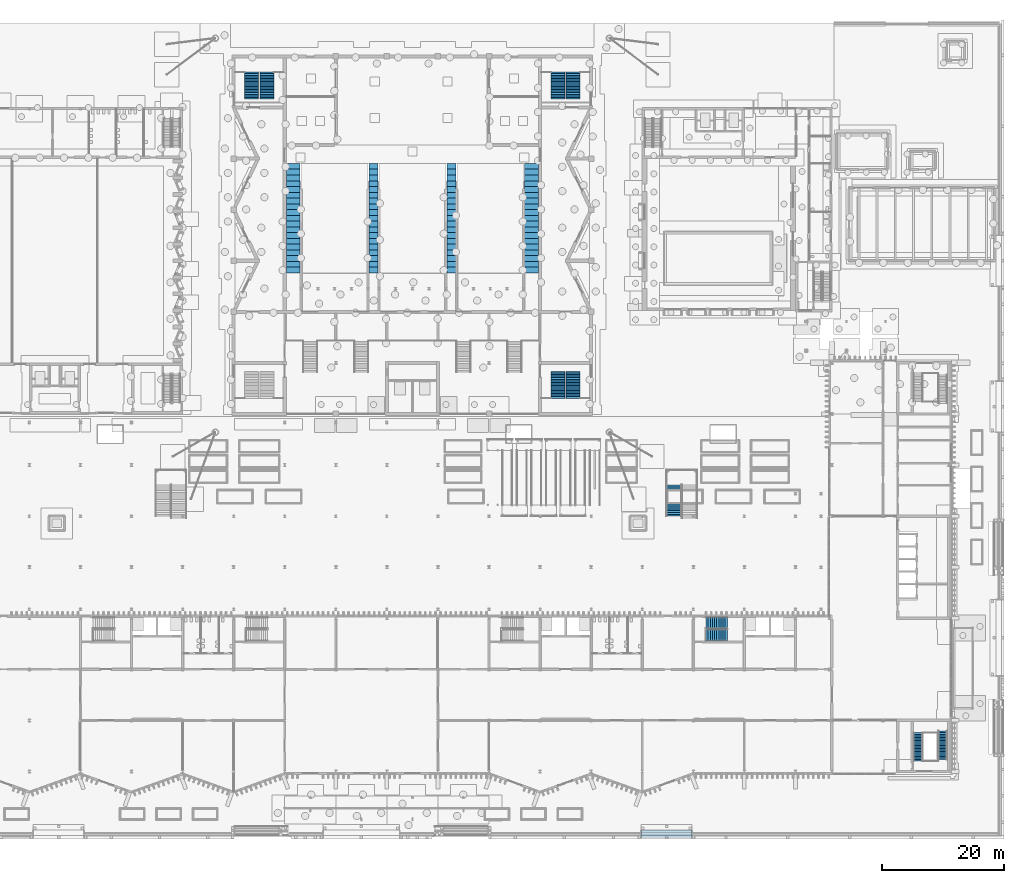
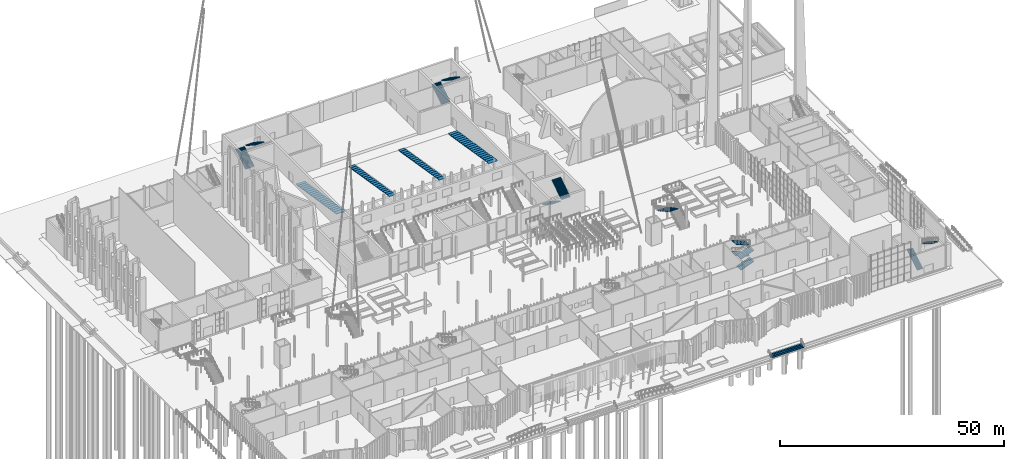
# One storey, part 79 of 108: 18 stair flights, 11 elements without a shape of their own.
"""IFC4 building model written with IfcOpenShell, lengths in metres."""

from ifc_helpers import new_model, si_unit, direction, frame, origin, place, context, subcontext, project, spatial, polyline, outline, extrude, material, type_object, element, aggregate, save


model = new_model("IFC4")

# Units and contexts
model_context = context("Model", 3, precision=1e-05, world=origin(), true_north=direction((0.0, 1.0)))
body_context = subcontext(model_context, "Body", "Model", "MODEL_VIEW")
ifc_project = project(units=[si_unit("LENGTHUNIT", "METRE"), si_unit("AREAUNIT", "SQUARE_METRE"), si_unit("VOLUMEUNIT", "CUBIC_METRE"), si_unit("PLANEANGLEUNIT", "RADIAN"), si_unit("MASSUNIT", "GRAM", prefix="KILO")], contexts=[model_context])

# Site, building, storey
site_placement = place(None, origin())
site = spatial("IfcSite", under=ifc_project, at=site_placement, CompositionType="ELEMENT")
building_placement = place(site_placement, origin())
building = spatial("IfcBuilding", under=site, at=building_placement, Name="Cresset Court Congress Hotel", CompositionType="ELEMENT")
storey_placement = place(building_placement, origin())
storey = spatial("IfcBuildingStorey", under=building, at=storey_placement, Name="L00", CompositionType="ELEMENT", Elevation=0.0)

# Stair, stair flight
ifc_material_1 = material(Name="Concrete C40", Category="concrete")
stair_type_1 = type_object("IfcStairType", Name="Aisle stair", PredefinedType="STRAIGHT_RUN_STAIR", material=ifc_material_1)
stair_1_placement = place(storey_placement, origin())
stair_1 = element("IfcStair", 1, at=stair_1_placement, inside=storey, type_object=stair_type_1, Name="Aisle stair AS-1", PredefinedType="STRAIGHT_RUN_STAIR")
ifc_material_2 = material(Name="Concrete C40", Category="concrete")
stair_flight_type_1 = type_object("IfcStairFlightType", Name="Aisle stair flight", PredefinedType="STRAIGHT", material=ifc_material_2)
stair_flight_1_placement = place(storey_placement, frame((68.60009765625, 100.0, 0.0), z_axis=(0.0, 0.0, 1.0), x_axis=(0.0, -1.0, 0.0)))
stair_flight_1 = element("IfcStairFlight", 2, at=stair_flight_1_placement, type_object=stair_flight_type_1, Name="C-AS flight 1", NumberOfRisers=20, NumberOfTreads=19, PredefinedType="STRAIGHT", RiserHeight=0.15, TreadLength=0.947368421, context=body_context, shape_type="SweptSolid", body=[
    extrude(outline(polyline([(0.0, 0.0), (0.0, 0.14990234375), (0.947265625, 0.14990234375), (0.947265625, 0.300048828125), (1.894775390625, 0.300048828125), (1.894775390625, 0.449951171875), (2.842041015625, 0.449951171875), (2.842041015625, 0.60009765625), (3.78955078125, 0.60009765625), (3.78955078125, 0.75), (4.73681640625, 0.75), (4.73681640625, 0.89990234375), (5.684326171875, 0.89990234375), (5.684326171875, 1.050048828125), (6.631591796875, 1.050048828125), (6.631591796875, 1.199951171875), (7.578857421875, 1.199951171875), (7.578857421875, 1.35009765625), (8.5263671875, 1.35009765625), (8.5263671875, 1.5), (9.4736328125, 1.5), (9.4736328125, 1.64990234375), (10.421142578125, 1.64990234375), (10.421142578125, 1.800048828125), (11.368408203125, 1.800048828125), (11.368408203125, 1.949951171875), (12.315673828125, 1.949951171875), (12.315673828125, 2.10009765625), (13.26318359375, 2.10009765625), (13.26318359375, 2.25), (14.21044921875, 2.25), (14.21044921875, 2.39990234375), (15.157958984375, 2.39990234375), (15.157958984375, 2.550048828125), (16.105224609375, 2.550048828125), (16.105224609375, 2.699951171875), (17.052734375, 2.699951171875), (17.052734375, 2.85009765625), (18.0, 2.85009765625), (18.0, 3.0), (18.0, 2.6982421875), (0.95849609375, 0.0), (0.0, 0.0)])), frame((0.0, 1.14990234375, 0.0), z_axis=(0.0, -1.0, 0.0), x_axis=(1.0, 0.0, 0.0)), (0.0, 0.0, 1.0), 2.300048828125),
])
aggregate(stair_1, [stair_flight_1])

stair_2_placement = place(storey_placement, origin())
stair_2 = element("IfcStair", 3, at=stair_2_placement, inside=storey, type_object=stair_type_1, Name="Aisle stair AS-2", PredefinedType="STRAIGHT_RUN_STAIR")
stair_flight_2_placement = place(storey_placement, frame((81.800048828125, 100.0, 0.0), z_axis=(0.0, 0.0, 1.0), x_axis=(0.0, -1.0, 0.0)))
stair_flight_2 = element("IfcStairFlight", 4, at=stair_flight_2_placement, type_object=stair_flight_type_1, Name="C-AS flight 1", NumberOfRisers=20, NumberOfTreads=19, PredefinedType="STRAIGHT", RiserHeight=0.15, TreadLength=0.947368421, context=body_context, shape_type="SweptSolid", body=[
    extrude(outline(polyline([(0.0, 0.0), (0.0, 0.14990234375), (0.947265625, 0.14990234375), (0.947265625, 0.300048828125), (1.894775390625, 0.300048828125), (1.894775390625, 0.449951171875), (2.842041015625, 0.449951171875), (2.842041015625, 0.60009765625), (3.78955078125, 0.60009765625), (3.78955078125, 0.75), (4.73681640625, 0.75), (4.73681640625, 0.89990234375), (5.684326171875, 0.89990234375), (5.684326171875, 1.050048828125), (6.631591796875, 1.050048828125), (6.631591796875, 1.199951171875), (7.578857421875, 1.199951171875), (7.578857421875, 1.35009765625), (8.5263671875, 1.35009765625), (8.5263671875, 1.5), (9.4736328125, 1.5), (9.4736328125, 1.64990234375), (10.421142578125, 1.64990234375), (10.421142578125, 1.800048828125), (11.368408203125, 1.800048828125), (11.368408203125, 1.949951171875), (12.315673828125, 1.949951171875), (12.315673828125, 2.10009765625), (13.26318359375, 2.10009765625), (13.26318359375, 2.25), (14.21044921875, 2.25), (14.21044921875, 2.39990234375), (15.157958984375, 2.39990234375), (15.157958984375, 2.550048828125), (16.105224609375, 2.550048828125), (16.105224609375, 2.699951171875), (17.052734375, 2.699951171875), (17.052734375, 2.85009765625), (18.0, 2.85009765625), (18.0, 3.0), (18.0, 2.6982421875), (0.95849609375, 0.0), (0.0, 0.0)])), frame((0.0, 0.75, 0.0), z_axis=(0.0, -1.0, 0.0), x_axis=(1.0, 0.0, 0.0)), (0.0, 0.0, 1.0), 1.5),
])
aggregate(stair_2, [stair_flight_2])

stair_3_placement = place(storey_placement, origin())
stair_3 = element("IfcStair", 5, at=stair_3_placement, inside=storey, type_object=stair_type_1, Name="Aisle stair AS-3", PredefinedType="STRAIGHT_RUN_STAIR")
stair_flight_3_placement = place(storey_placement, frame((94.60009765625, 100.0, 0.0), z_axis=(0.0, 0.0, 1.0), x_axis=(0.0, -1.0, 0.0)))
stair_flight_3 = element("IfcStairFlight", 6, at=stair_flight_3_placement, type_object=stair_flight_type_1, Name="C-AS flight 1", NumberOfRisers=20, NumberOfTreads=19, PredefinedType="STRAIGHT", RiserHeight=0.15, TreadLength=0.947368421, context=body_context, shape_type="SweptSolid", body=[
    extrude(outline(polyline([(0.0, 0.0), (0.0, 0.14990234375), (0.947265625, 0.14990234375), (0.947265625, 0.300048828125), (1.894775390625, 0.300048828125), (1.894775390625, 0.449951171875), (2.842041015625, 0.449951171875), (2.842041015625, 0.60009765625), (3.78955078125, 0.60009765625), (3.78955078125, 0.75), (4.73681640625, 0.75), (4.73681640625, 0.89990234375), (5.684326171875, 0.89990234375), (5.684326171875, 1.050048828125), (6.631591796875, 1.050048828125), (6.631591796875, 1.199951171875), (7.578857421875, 1.199951171875), (7.578857421875, 1.35009765625), (8.5263671875, 1.35009765625), (8.5263671875, 1.5), (9.4736328125, 1.5), (9.4736328125, 1.64990234375), (10.421142578125, 1.64990234375), (10.421142578125, 1.800048828125), (11.368408203125, 1.800048828125), (11.368408203125, 1.949951171875), (12.315673828125, 1.949951171875), (12.315673828125, 2.10009765625), (13.26318359375, 2.10009765625), (13.26318359375, 2.25), (14.21044921875, 2.25), (14.21044921875, 2.39990234375), (15.157958984375, 2.39990234375), (15.157958984375, 2.550048828125), (16.105224609375, 2.550048828125), (16.105224609375, 2.699951171875), (17.052734375, 2.699951171875), (17.052734375, 2.85009765625), (18.0, 2.85009765625), (18.0, 3.0), (18.0, 2.6982421875), (0.95849609375, 0.0), (0.0, 0.0)])), frame((0.0, 0.75, 0.0), z_axis=(0.0, -1.0, 0.0), x_axis=(1.0, 0.0, 0.0)), (0.0, 0.0, 1.0), 1.5),
])
aggregate(stair_3, [stair_flight_3])

stair_4_placement = place(storey_placement, origin())
stair_4 = element("IfcStair", 7, at=stair_4_placement, inside=storey, type_object=stair_type_1, Name="Aisle stair AS-4", PredefinedType="STRAIGHT_RUN_STAIR")
stair_flight_4_placement = place(storey_placement, frame((107.800048828125, 100.0, 0.0), z_axis=(0.0, 0.0, 1.0), x_axis=(0.0, -1.0, 0.0)))
stair_flight_4 = element("IfcStairFlight", 8, at=stair_flight_4_placement, type_object=stair_flight_type_1, Name="C-AS flight 1", NumberOfRisers=20, NumberOfTreads=19, PredefinedType="STRAIGHT", RiserHeight=0.15, TreadLength=0.947368421, context=body_context, shape_type="SweptSolid", body=[
    extrude(outline(polyline([(0.0, 0.0), (0.0, 0.14990234375), (0.947265625, 0.14990234375), (0.947265625, 0.300048828125), (1.894775390625, 0.300048828125), (1.894775390625, 0.449951171875), (2.842041015625, 0.449951171875), (2.842041015625, 0.60009765625), (3.78955078125, 0.60009765625), (3.78955078125, 0.75), (4.73681640625, 0.75), (4.73681640625, 0.89990234375), (5.684326171875, 0.89990234375), (5.684326171875, 1.050048828125), (6.631591796875, 1.050048828125), (6.631591796875, 1.199951171875), (7.578857421875, 1.199951171875), (7.578857421875, 1.35009765625), (8.5263671875, 1.35009765625), (8.5263671875, 1.5), (9.4736328125, 1.5), (9.4736328125, 1.64990234375), (10.421142578125, 1.64990234375), (10.421142578125, 1.800048828125), (11.368408203125, 1.800048828125), (11.368408203125, 1.949951171875), (12.315673828125, 1.949951171875), (12.315673828125, 2.10009765625), (13.26318359375, 2.10009765625), (13.26318359375, 2.25), (14.21044921875, 2.25), (14.21044921875, 2.39990234375), (15.157958984375, 2.39990234375), (15.157958984375, 2.550048828125), (16.105224609375, 2.550048828125), (16.105224609375, 2.699951171875), (17.052734375, 2.699951171875), (17.052734375, 2.85009765625), (18.0, 2.85009765625), (18.0, 3.0), (18.0, 2.6982421875), (0.95849609375, 0.0), (0.0, 0.0)])), frame((0.0, 1.14990234375, 0.0), z_axis=(0.0, -1.0, 0.0), x_axis=(1.0, 0.0, 0.0)), (0.0, 0.0, 1.0), 2.300048828125),
])
aggregate(stair_4, [stair_flight_4])

# Stair, stair flights
ifc_material_3 = material(Name="Concrete C40", Category="concrete")
stair_type_2 = type_object("IfcStairType", Name="Concrete dog-leg stair 5600", PredefinedType="HALF_TURN_STAIR", material=ifc_material_3)
stair_5_placement = place(storey_placement, origin())
stair_5 = element("IfcStair", 9, at=stair_5_placement, inside=storey, type_object=stair_type_2, Name="Stair A1 L00", PredefinedType="HALF_TURN_STAIR")
ifc_material_4 = material(Name="Concrete C40", Category="concrete")
stair_flight_type_2 = type_object("IfcStairFlightType", Name="Concrete stair flight", PredefinedType="STRAIGHT", material=ifc_material_4)
stair_flight_5_placement = place(storey_placement, frame((171.35009765625, 1.699951171875, 0.0), z_axis=(0.0, 0.0, 1.0), x_axis=(0.0, 1.0, 0.0)))
stair_flight_5 = element("IfcStairFlight", 10, at=stair_flight_5_placement, type_object=stair_flight_type_2, Name="A-ST1 flight 1", NumberOfRisers=19, NumberOfTreads=18, PredefinedType="STRAIGHT", RiserHeight=0.157894737, TreadLength=0.26, context=body_context, shape_type="SweptSolid", body=[
    extrude(outline(polyline([(0.0, 0.0), (0.0, 0.157958984375), (0.260009765625, 0.157958984375), (0.260009765625, 0.315673828125), (0.52001953125, 0.315673828125), (0.52001953125, 0.4736328125), (0.780029296875, 0.4736328125), (0.780029296875, 0.631591796875), (1.0400390625, 0.631591796875), (1.0400390625, 0.78955078125), (1.300048828125, 0.78955078125), (1.300048828125, 0.947265625), (1.56005859375, 0.947265625), (1.56005859375, 1.105224609375), (1.820068359375, 1.105224609375), (1.820068359375, 1.26318359375), (2.080078125, 1.26318359375), (2.080078125, 1.421142578125), (2.340087890625, 1.421142578125), (2.340087890625, 1.578857421875), (2.60009765625, 1.578857421875), (2.60009765625, 1.73681640625), (2.860107421875, 1.73681640625), (2.860107421875, 1.894775390625), (3.1201171875, 1.894775390625), (3.1201171875, 2.052734375), (3.3798828125, 2.052734375), (3.3798828125, 2.21044921875), (3.639892578125, 2.21044921875), (3.639892578125, 2.368408203125), (3.89990234375, 2.368408203125), (3.89990234375, 2.5263671875), (4.159912109375, 2.5263671875), (4.159912109375, 2.684326171875), (4.419921875, 2.684326171875), (4.419921875, 2.842041015625), (4.679931640625, 2.842041015625), (4.679931640625, 3.0), (4.679931640625, 2.666748046875), (0.288818359375, 0.0), (0.0, 0.0)])), frame((0.0, 0.75, 0.0), z_axis=(0.0, -1.0, 0.0), x_axis=(1.0, 0.0, 0.0)), (0.0, 0.0, 1.0), 1.5),
])
stair_flight_6_placement = place(storey_placement, frame((175.449951171875, 6.639892578125, 3.0), z_axis=(0.0, 0.0, 1.0), x_axis=(0.0, -1.0, 0.0)))
stair_flight_6 = element("IfcStairFlight", 11, at=stair_flight_6_placement, type_object=stair_flight_type_2, Name="A-ST1 flight 2", NumberOfRisers=19, NumberOfTreads=18, PredefinedType="STRAIGHT", RiserHeight=0.157894737, TreadLength=0.26, context=body_context, shape_type="SweptSolid", body=[
    extrude(outline(polyline([(0.0, 0.0), (0.0, 0.157958984375), (0.260009765625, 0.157958984375), (0.260009765625, 0.315673828125), (0.52001953125, 0.315673828125), (0.52001953125, 0.4736328125), (0.780029296875, 0.4736328125), (0.780029296875, 0.631591796875), (1.0400390625, 0.631591796875), (1.0400390625, 0.78955078125), (1.300048828125, 0.78955078125), (1.300048828125, 0.947265625), (1.56005859375, 0.947265625), (1.56005859375, 1.105224609375), (1.820068359375, 1.105224609375), (1.820068359375, 1.26318359375), (2.080078125, 1.26318359375), (2.080078125, 1.421142578125), (2.340087890625, 1.421142578125), (2.340087890625, 1.578857421875), (2.60009765625, 1.578857421875), (2.60009765625, 1.73681640625), (2.860107421875, 1.73681640625), (2.860107421875, 1.894775390625), (3.1201171875, 1.894775390625), (3.1201171875, 2.052734375), (3.3798828125, 2.052734375), (3.3798828125, 2.21044921875), (3.639892578125, 2.21044921875), (3.639892578125, 2.368408203125), (3.89990234375, 2.368408203125), (3.89990234375, 2.5263671875), (4.159912109375, 2.5263671875), (4.159912109375, 2.684326171875), (4.419921875, 2.684326171875), (4.419921875, 2.842041015625), (4.679931640625, 2.842041015625), (4.679931640625, 3.0), (4.679931640625, 2.666748046875), (0.288818359375, 0.0), (0.0, 0.0)])), frame((0.0, 0.75, 0.0), z_axis=(0.0, -1.0, 0.0), x_axis=(1.0, 0.0, 0.0)), (0.0, 0.0, 1.0), 1.5),
])
aggregate(stair_5, [stair_flight_5, stair_flight_6])

ifc_material_5 = material(Name="Concrete C40", Category="concrete")
stair_type_3 = type_object("IfcStairType", Name="Core stair", PredefinedType="STRAIGHT_RUN_STAIR", material=ifc_material_5)
stair_6_placement = place(storey_placement, origin())
stair_6 = element("IfcStair", 12, at=stair_6_placement, inside=storey, type_object=stair_type_3, Name="Stair ST-C2 L00", PredefinedType="STRAIGHT_RUN_STAIR")
ifc_material_6 = material(Name="Concrete C40", Category="concrete")
stair_flight_type_3 = type_object("IfcStairFlightType", Name="Core stair flight", PredefinedType="STRAIGHT", material=ifc_material_6)
stair_flight_7_placement = place(storey_placement, frame((112.14990234375, 65.800048828125, 0.0), z_axis=(0.0, 0.0, 1.0), x_axis=(0.0, -1.0, 0.0)))
stair_flight_7 = element("IfcStairFlight", 13, at=stair_flight_7_placement, type_object=stair_flight_type_3, Name="C-ST flight 1", NumberOfRisers=18, NumberOfTreads=17, PredefinedType="STRAIGHT", RiserHeight=0.166666667, TreadLength=0.26, context=body_context, shape_type="SweptSolid", body=[
    extrude(outline(polyline([(0.0, 0.0), (0.0, 0.166748046875), (0.260009765625, 0.166748046875), (0.260009765625, 0.333251953125), (0.52001953125, 0.333251953125), (0.52001953125, 0.5), (0.780029296875, 0.5), (0.780029296875, 0.666748046875), (1.0400390625, 0.666748046875), (1.0400390625, 0.833251953125), (1.300048828125, 0.833251953125), (1.300048828125, 1.0), (1.56005859375, 1.0), (1.56005859375, 1.166748046875), (1.820068359375, 1.166748046875), (1.820068359375, 1.333251953125), (2.080078125, 1.333251953125), (2.080078125, 1.5), (2.340087890625, 1.5), (2.340087890625, 1.666748046875), (2.60009765625, 1.666748046875), (2.60009765625, 1.833251953125), (2.860107421875, 1.833251953125), (2.860107421875, 2.0), (3.1201171875, 2.0), (3.1201171875, 2.166748046875), (3.3798828125, 2.166748046875), (3.3798828125, 2.333251953125), (3.639892578125, 2.333251953125), (3.639892578125, 2.5), (3.89990234375, 2.5), (3.89990234375, 2.666748046875), (4.159912109375, 2.666748046875), (4.159912109375, 2.833251953125), (4.419921875, 2.833251953125), (4.419921875, 3.0), (4.419921875, 2.6552734375), (0.27783203125, 0.0), (0.0, 0.0)])), frame((0.0, 1.14990234375, 0.0), z_axis=(0.0, -1.0, 0.0), x_axis=(1.0, 0.0, 0.0)), (0.0, 0.0, 1.0), 2.300048828125),
])
stair_flight_8_placement = place(storey_placement, frame((114.64990234375, 61.3798828125, 3.0), z_axis=(0.0, 0.0, 1.0), x_axis=(0.0, 1.0, 0.0)))
stair_flight_8 = element("IfcStairFlight", 14, at=stair_flight_8_placement, type_object=stair_flight_type_3, Name="C-ST flight 2", NumberOfRisers=18, NumberOfTreads=17, PredefinedType="STRAIGHT", RiserHeight=0.166666667, TreadLength=0.26, context=body_context, shape_type="SweptSolid", body=[
    extrude(outline(polyline([(0.0, 0.0), (0.0, 0.166748046875), (0.260009765625, 0.166748046875), (0.260009765625, 0.333251953125), (0.52001953125, 0.333251953125), (0.52001953125, 0.5), (0.780029296875, 0.5), (0.780029296875, 0.666748046875), (1.0400390625, 0.666748046875), (1.0400390625, 0.833251953125), (1.300048828125, 0.833251953125), (1.300048828125, 1.0), (1.56005859375, 1.0), (1.56005859375, 1.166748046875), (1.820068359375, 1.166748046875), (1.820068359375, 1.333251953125), (2.080078125, 1.333251953125), (2.080078125, 1.5), (2.340087890625, 1.5), (2.340087890625, 1.666748046875), (2.60009765625, 1.666748046875), (2.60009765625, 1.833251953125), (2.860107421875, 1.833251953125), (2.860107421875, 2.0), (3.1201171875, 2.0), (3.1201171875, 2.166748046875), (3.3798828125, 2.166748046875), (3.3798828125, 2.333251953125), (3.639892578125, 2.333251953125), (3.639892578125, 2.5), (3.89990234375, 2.5), (3.89990234375, 2.666748046875), (4.159912109375, 2.666748046875), (4.159912109375, 2.833251953125), (4.419921875, 2.833251953125), (4.419921875, 3.0), (4.419921875, 2.6552734375), (0.27783203125, 0.0), (0.0, 0.0)])), frame((0.0, 1.14990234375, 0.0), z_axis=(0.0, -1.0, 0.0), x_axis=(1.0, 0.0, 0.0)), (0.0, 0.0, 1.0), 2.300048828125),
])
aggregate(stair_6, [stair_flight_7, stair_flight_8])

stair_7_placement = place(storey_placement, origin())
stair_7 = element("IfcStair", 15, at=stair_7_placement, inside=storey, type_object=stair_type_3, Name="Stair ST-C3 L00", PredefinedType="STRAIGHT_RUN_STAIR")
stair_flight_9_placement = place(storey_placement, frame((61.75, 110.60009765625, 0.0), z_axis=(0.0, 0.0, 1.0), x_axis=(0.0, 1.0, 0.0)))
stair_flight_9 = element("IfcStairFlight", 16, at=stair_flight_9_placement, type_object=stair_flight_type_3, Name="C-ST flight 1", NumberOfRisers=18, NumberOfTreads=17, PredefinedType="STRAIGHT", RiserHeight=0.166666667, TreadLength=0.26, context=body_context, shape_type="SweptSolid", body=[
    extrude(outline(polyline([(0.0, 0.0), (0.0, 0.166748046875), (0.260009765625, 0.166748046875), (0.260009765625, 0.333251953125), (0.52001953125, 0.333251953125), (0.52001953125, 0.5), (0.780029296875, 0.5), (0.780029296875, 0.666748046875), (1.0400390625, 0.666748046875), (1.0400390625, 0.833251953125), (1.300048828125, 0.833251953125), (1.300048828125, 1.0), (1.56005859375, 1.0), (1.56005859375, 1.166748046875), (1.820068359375, 1.166748046875), (1.820068359375, 1.333251953125), (2.080078125, 1.333251953125), (2.080078125, 1.5), (2.340087890625, 1.5), (2.340087890625, 1.666748046875), (2.60009765625, 1.666748046875), (2.60009765625, 1.833251953125), (2.860107421875, 1.833251953125), (2.860107421875, 2.0), (3.1201171875, 2.0), (3.1201171875, 2.166748046875), (3.3798828125, 2.166748046875), (3.3798828125, 2.333251953125), (3.639892578125, 2.333251953125), (3.639892578125, 2.5), (3.89990234375, 2.5), (3.89990234375, 2.666748046875), (4.159912109375, 2.666748046875), (4.159912109375, 2.833251953125), (4.419921875, 2.833251953125), (4.419921875, 3.0), (4.419921875, 2.6552734375), (0.27783203125, 0.0), (0.0, 0.0)])), frame((0.0, 1.14990234375, 0.0), z_axis=(0.0, -1.0, 0.0), x_axis=(1.0, 0.0, 0.0)), (0.0, 0.0, 1.0), 2.300048828125),
])
stair_flight_10_placement = place(storey_placement, frame((64.25, 115.02001953125, 3.0), z_axis=(0.0, 0.0, 1.0), x_axis=(0.0, -1.0, 0.0)))
stair_flight_10 = element("IfcStairFlight", 17, at=stair_flight_10_placement, type_object=stair_flight_type_3, Name="C-ST flight 2", NumberOfRisers=18, NumberOfTreads=17, PredefinedType="STRAIGHT", RiserHeight=0.166666667, TreadLength=0.26, context=body_context, shape_type="SweptSolid", body=[
    extrude(outline(polyline([(0.0, 0.0), (0.0, 0.166748046875), (0.260009765625, 0.166748046875), (0.260009765625, 0.333251953125), (0.52001953125, 0.333251953125), (0.52001953125, 0.5), (0.780029296875, 0.5), (0.780029296875, 0.666748046875), (1.0400390625, 0.666748046875), (1.0400390625, 0.833251953125), (1.300048828125, 0.833251953125), (1.300048828125, 1.0), (1.56005859375, 1.0), (1.56005859375, 1.166748046875), (1.820068359375, 1.166748046875), (1.820068359375, 1.333251953125), (2.080078125, 1.333251953125), (2.080078125, 1.5), (2.340087890625, 1.5), (2.340087890625, 1.666748046875), (2.60009765625, 1.666748046875), (2.60009765625, 1.833251953125), (2.860107421875, 1.833251953125), (2.860107421875, 2.0), (3.1201171875, 2.0), (3.1201171875, 2.166748046875), (3.3798828125, 2.166748046875), (3.3798828125, 2.333251953125), (3.639892578125, 2.333251953125), (3.639892578125, 2.5), (3.89990234375, 2.5), (3.89990234375, 2.666748046875), (4.159912109375, 2.666748046875), (4.159912109375, 2.833251953125), (4.419921875, 2.833251953125), (4.419921875, 3.0), (4.419921875, 2.6552734375), (0.27783203125, 0.0), (0.0, 0.0)])), frame((0.0, 1.14990234375, 0.0), z_axis=(0.0, -1.0, 0.0), x_axis=(1.0, 0.0, 0.0)), (0.0, 0.0, 1.0), 2.300048828125),
])
aggregate(stair_7, [stair_flight_9, stair_flight_10])

stair_8_placement = place(storey_placement, origin())
stair_8 = element("IfcStair", 18, at=stair_8_placement, inside=storey, type_object=stair_type_3, Name="Stair ST-C4 L00", PredefinedType="STRAIGHT_RUN_STAIR")
stair_flight_11_placement = place(storey_placement, frame((112.14990234375, 110.60009765625, 0.0), z_axis=(0.0, 0.0, 1.0), x_axis=(0.0, 1.0, 0.0)))
stair_flight_11 = element("IfcStairFlight", 19, at=stair_flight_11_placement, type_object=stair_flight_type_3, Name="C-ST flight 1", NumberOfRisers=18, NumberOfTreads=17, PredefinedType="STRAIGHT", RiserHeight=0.166666667, TreadLength=0.26, context=body_context, shape_type="SweptSolid", body=[
    extrude(outline(polyline([(0.0, 0.0), (0.0, 0.166748046875), (0.260009765625, 0.166748046875), (0.260009765625, 0.333251953125), (0.52001953125, 0.333251953125), (0.52001953125, 0.5), (0.780029296875, 0.5), (0.780029296875, 0.666748046875), (1.0400390625, 0.666748046875), (1.0400390625, 0.833251953125), (1.300048828125, 0.833251953125), (1.300048828125, 1.0), (1.56005859375, 1.0), (1.56005859375, 1.166748046875), (1.820068359375, 1.166748046875), (1.820068359375, 1.333251953125), (2.080078125, 1.333251953125), (2.080078125, 1.5), (2.340087890625, 1.5), (2.340087890625, 1.666748046875), (2.60009765625, 1.666748046875), (2.60009765625, 1.833251953125), (2.860107421875, 1.833251953125), (2.860107421875, 2.0), (3.1201171875, 2.0), (3.1201171875, 2.166748046875), (3.3798828125, 2.166748046875), (3.3798828125, 2.333251953125), (3.639892578125, 2.333251953125), (3.639892578125, 2.5), (3.89990234375, 2.5), (3.89990234375, 2.666748046875), (4.159912109375, 2.666748046875), (4.159912109375, 2.833251953125), (4.419921875, 2.833251953125), (4.419921875, 3.0), (4.419921875, 2.6552734375), (0.27783203125, 0.0), (0.0, 0.0)])), frame((0.0, 1.14990234375, 0.0), z_axis=(0.0, -1.0, 0.0), x_axis=(1.0, 0.0, 0.0)), (0.0, 0.0, 1.0), 2.300048828125),
])
stair_flight_12_placement = place(storey_placement, frame((114.64990234375, 115.02001953125, 3.0), z_axis=(0.0, 0.0, 1.0), x_axis=(0.0, -1.0, 0.0)))
stair_flight_12 = element("IfcStairFlight", 20, at=stair_flight_12_placement, type_object=stair_flight_type_3, Name="C-ST flight 2", NumberOfRisers=18, NumberOfTreads=17, PredefinedType="STRAIGHT", RiserHeight=0.166666667, TreadLength=0.26, context=body_context, shape_type="SweptSolid", body=[
    extrude(outline(polyline([(0.0, 0.0), (0.0, 0.166748046875), (0.260009765625, 0.166748046875), (0.260009765625, 0.333251953125), (0.52001953125, 0.333251953125), (0.52001953125, 0.5), (0.780029296875, 0.5), (0.780029296875, 0.666748046875), (1.0400390625, 0.666748046875), (1.0400390625, 0.833251953125), (1.300048828125, 0.833251953125), (1.300048828125, 1.0), (1.56005859375, 1.0), (1.56005859375, 1.166748046875), (1.820068359375, 1.166748046875), (1.820068359375, 1.333251953125), (2.080078125, 1.333251953125), (2.080078125, 1.5), (2.340087890625, 1.5), (2.340087890625, 1.666748046875), (2.60009765625, 1.666748046875), (2.60009765625, 1.833251953125), (2.860107421875, 1.833251953125), (2.860107421875, 2.0), (3.1201171875, 2.0), (3.1201171875, 2.166748046875), (3.3798828125, 2.166748046875), (3.3798828125, 2.333251953125), (3.639892578125, 2.333251953125), (3.639892578125, 2.5), (3.89990234375, 2.5), (3.89990234375, 2.666748046875), (4.159912109375, 2.666748046875), (4.159912109375, 2.833251953125), (4.419921875, 2.833251953125), (4.419921875, 3.0), (4.419921875, 2.6552734375), (0.27783203125, 0.0), (0.0, 0.0)])), frame((0.0, 1.14990234375, 0.0), z_axis=(0.0, -1.0, 0.0), x_axis=(1.0, 0.0, 0.0)), (0.0, 0.0, 1.0), 2.300048828125),
])
aggregate(stair_8, [stair_flight_11, stair_flight_12])

# Stair, stair flight
ifc_material_7 = material(Name="Concrete C35", Category="concrete")
stair_type_4 = type_object("IfcStairType", Name="External stair 4 risers", PredefinedType="STRAIGHT_RUN_STAIR", material=ifc_material_7)
stair_9_placement = place(storey_placement, origin())
stair_9 = element("IfcStair", 21, at=stair_9_placement, inside=storey, type_object=stair_type_4, Name="Entrance steps S03", PredefinedType="STRAIGHT_RUN_STAIR")
ifc_material_8 = material(Name="Concrete C35", Category="concrete")
stair_flight_type_4 = type_object("IfcStairFlightType", Name="Entrance step flight on grade", PredefinedType="STRAIGHT", material=ifc_material_8)
stair_flight_13_placement = place(storey_placement, frame((130.0, -10.85009765625, -0.60009765625), z_axis=(0.0, 0.0, 1.0), x_axis=(0.0, 1.0, 0.0)))
stair_flight_13 = element("IfcStairFlight", 22, at=stair_flight_13_placement, type_object=stair_flight_type_4, Name="S-ST1 flight 1", NumberOfRisers=4, NumberOfTreads=3, PredefinedType="STRAIGHT", RiserHeight=0.15, TreadLength=0.4, context=body_context, shape_type="SweptSolid", body=[
    extrude(outline(polyline([(0.0, 0.0), (0.0, 0.14990234375), (0.39990234375, 0.14990234375), (0.39990234375, 0.300048828125), (0.800048828125, 0.300048828125), (0.800048828125, 0.449951171875), (1.199951171875, 0.449951171875), (1.199951171875, 0.60009765625), (1.199951171875, 0.02294921875), (1.138916015625, 0.0), (0.0, 0.0)])), frame((0.0, 4.199951171875, 0.0), z_axis=(0.0, -1.0, 0.0), x_axis=(1.0, 0.0, 0.0)), (0.0, 0.0, 1.0), 8.39990234375),
])
aggregate(stair_9, [stair_flight_13])

# Stair, stair flights
ifc_material_9 = material(Name="Concrete C40", Category="concrete")
stair_type_5 = type_object("IfcStairType", Name="Dog-leg stair 1400 flights", PredefinedType="HALF_TURN_STAIR", material=ifc_material_9)
stair_10_placement = place(storey_placement, origin())
stair_10 = element("IfcStair", 23, at=stair_10_placement, inside=storey, type_object=stair_type_5, Name="L00 Stair ST-B5", PredefinedType="HALF_TURN_STAIR")
ifc_material_10 = material(Name="Concrete C40", Category="concrete")
stair_flight_type_5 = type_object("IfcStairFlightType", Name="Stair flight 1400", PredefinedType="STRAIGHT", material=ifc_material_10)
stair_flight_14_placement = place(storey_placement, frame((136.5, 22.39990234375, 0.0), z_axis=(0.0, 0.0, 1.0), x_axis=(1.0, 0.0, 0.0)))
stair_flight_14 = element("IfcStairFlight", 24, at=stair_flight_14_placement, type_object=stair_flight_type_5, Name="ST-B5 flight 1", NumberOfRisers=11, NumberOfTreads=10, PredefinedType="STRAIGHT", RiserHeight=0.136363636, TreadLength=0.35, context=body_context, shape_type="SweptSolid", body=[
    extrude(outline(polyline([(0.0, 0.0), (0.0, 0.136474609375), (0.35009765625, 0.136474609375), (0.35009765625, 0.272705078125), (0.699951171875, 0.272705078125), (0.699951171875, 0.4091796875), (1.050048828125, 0.4091796875), (1.050048828125, 0.54541015625), (1.39990234375, 0.54541015625), (1.39990234375, 0.681884765625), (1.75, 0.681884765625), (1.75, 0.818115234375), (2.10009765625, 0.818115234375), (2.10009765625, 0.95458984375), (2.449951171875, 0.95458984375), (2.449951171875, 1.0908203125), (2.800048828125, 1.0908203125), (2.800048828125, 1.227294921875), (3.14990234375, 1.227294921875), (3.14990234375, 1.363525390625), (3.5, 1.363525390625), (3.5, 1.5), (3.5, 1.20263671875), (0.412841796875, 0.0), (0.0, 0.0)])), frame((0.0, 0.949951171875, 0.0), z_axis=(0.0, -1.0, 0.0), x_axis=(1.0, 0.0, 0.0)), (0.0, 0.0, 1.0), 1.89990234375),
])
stair_flight_15_placement = place(storey_placement, frame((140.0, 24.449951171875, 1.5), z_axis=(0.0, 0.0, 1.0), x_axis=(-1.0, 0.0, 0.0)))
stair_flight_15 = element("IfcStairFlight", 25, at=stair_flight_15_placement, type_object=stair_flight_type_5, Name="ST-B5 flight 2", NumberOfRisers=11, NumberOfTreads=10, PredefinedType="STRAIGHT", RiserHeight=0.136363636, TreadLength=0.35, context=body_context, shape_type="SweptSolid", body=[
    extrude(outline(polyline([(0.0, 0.0), (0.0, 0.136474609375), (0.35009765625, 0.136474609375), (0.35009765625, 0.272705078125), (0.699951171875, 0.272705078125), (0.699951171875, 0.4091796875), (1.050048828125, 0.4091796875), (1.050048828125, 0.54541015625), (1.39990234375, 0.54541015625), (1.39990234375, 0.681884765625), (1.75, 0.681884765625), (1.75, 0.818115234375), (2.10009765625, 0.818115234375), (2.10009765625, 0.95458984375), (2.449951171875, 0.95458984375), (2.449951171875, 1.0908203125), (2.800048828125, 1.0908203125), (2.800048828125, 1.227294921875), (3.14990234375, 1.227294921875), (3.14990234375, 1.363525390625), (3.5, 1.363525390625), (3.5, 1.5), (3.5, 1.20263671875), (0.412841796875, 0.0), (0.0, 0.0)])), frame((0.0, 0.949951171875, 0.0), z_axis=(0.0, -1.0, 0.0), x_axis=(1.0, 0.0, 0.0)), (0.0, 0.0, 1.0), 1.89990234375),
])
stair_flight_16_placement = place(storey_placement, frame((136.5, 22.39990234375, 3.0), z_axis=(0.0, 0.0, 1.0), x_axis=(1.0, 0.0, 0.0)))
stair_flight_16 = element("IfcStairFlight", 26, at=stair_flight_16_placement, type_object=stair_flight_type_5, Name="ST-B5 flight 3", NumberOfRisers=11, NumberOfTreads=10, PredefinedType="STRAIGHT", RiserHeight=0.136363636, TreadLength=0.35, context=body_context, shape_type="SweptSolid", body=[
    extrude(outline(polyline([(0.0, 0.0), (0.0, 0.136474609375), (0.35009765625, 0.136474609375), (0.35009765625, 0.272705078125), (0.699951171875, 0.272705078125), (0.699951171875, 0.4091796875), (1.050048828125, 0.4091796875), (1.050048828125, 0.54541015625), (1.39990234375, 0.54541015625), (1.39990234375, 0.681884765625), (1.75, 0.681884765625), (1.75, 0.818115234375), (2.10009765625, 0.818115234375), (2.10009765625, 0.95458984375), (2.449951171875, 0.95458984375), (2.449951171875, 1.0908203125), (2.800048828125, 1.0908203125), (2.800048828125, 1.227294921875), (3.14990234375, 1.227294921875), (3.14990234375, 1.363525390625), (3.5, 1.363525390625), (3.5, 1.5), (3.5, 1.20263671875), (0.412841796875, 0.0), (0.0, 0.0)])), frame((0.0, 0.949951171875, 0.0), z_axis=(0.0, -1.0, 0.0), x_axis=(1.0, 0.0, 0.0)), (0.0, 0.0, 1.0), 1.89990234375),
])
stair_flight_17_placement = place(storey_placement, frame((140.0, 24.449951171875, 4.5), z_axis=(0.0, 0.0, 1.0), x_axis=(-1.0, 0.0, 0.0)))
stair_flight_17 = element("IfcStairFlight", 27, at=stair_flight_17_placement, type_object=stair_flight_type_5, Name="ST-B5 flight 4", NumberOfRisers=11, NumberOfTreads=10, PredefinedType="STRAIGHT", RiserHeight=0.136363636, TreadLength=0.35, context=body_context, shape_type="SweptSolid", body=[
    extrude(outline(polyline([(0.0, 0.0), (0.0, 0.136474609375), (0.35009765625, 0.136474609375), (0.35009765625, 0.272705078125), (0.699951171875, 0.272705078125), (0.699951171875, 0.4091796875), (1.050048828125, 0.4091796875), (1.050048828125, 0.54541015625), (1.39990234375, 0.54541015625), (1.39990234375, 0.681884765625), (1.75, 0.681884765625), (1.75, 0.818115234375), (2.10009765625, 0.818115234375), (2.10009765625, 0.95458984375), (2.449951171875, 0.95458984375), (2.449951171875, 1.0908203125), (2.800048828125, 1.0908203125), (2.800048828125, 1.227294921875), (3.14990234375, 1.227294921875), (3.14990234375, 1.363525390625), (3.5, 1.363525390625), (3.5, 1.5), (3.5, 1.20263671875), (0.412841796875, 0.0), (0.0, 0.0)])), frame((0.0, 0.949951171875, 0.0), z_axis=(0.0, -1.0, 0.0), x_axis=(1.0, 0.0, 0.0)), (0.0, 0.0, 1.0), 1.89990234375),
])
aggregate(stair_10, [stair_flight_14, stair_flight_15, stair_flight_16, stair_flight_17])

# Stair, stair flight
ifc_material_11 = material(Name="Concrete C35", Category="concrete")
stair_type_6 = type_object("IfcStairType", Name="Deck stair", PredefinedType="HALF_TURN_STAIR", material=ifc_material_11)
stair_11_placement = place(storey_placement, origin())
stair_11 = element("IfcStair", 28, at=stair_11_placement, inside=storey, type_object=stair_type_6, Name="Deck stair D03", PredefinedType="HALF_TURN_STAIR")
ifc_material_12 = material(Name="Concrete C35", Category="concrete")
stair_flight_type_6 = type_object("IfcStairFlightType", Name="Stair flight 150 waist", PredefinedType="STRAIGHT", material=ifc_material_12)
stair_flight_18_placement = place(storey_placement, frame((131.199951171875, 47.10009765625, 3.0810546875), z_axis=(0.0, 0.0, 1.0), x_axis=(0.0, -1.0, 0.0)))
stair_flight_18 = element("IfcStairFlight", 29, at=stair_flight_18_placement, type_object=stair_flight_type_6, Name="S-ST2 flight 1", NumberOfRisers=18, NumberOfTreads=17, PredefinedType="STRAIGHT", RiserHeight=0.162162162, TreadLength=0.3, context=body_context, shape_type="SweptSolid", body=[
    extrude(outline(polyline([(0.0, 0.0), (0.0, 0.162109375), (0.300048828125, 0.162109375), (0.300048828125, 0.32421875), (0.60009765625, 0.32421875), (0.60009765625, 0.486572265625), (0.89990234375, 0.486572265625), (0.89990234375, 0.648681640625), (1.199951171875, 0.648681640625), (1.199951171875, 0.810791015625), (1.5, 0.810791015625), (1.5, 0.972900390625), (1.800048828125, 0.972900390625), (1.800048828125, 1.13525390625), (2.10009765625, 1.13525390625), (2.10009765625, 1.29736328125), (2.39990234375, 1.29736328125), (2.39990234375, 1.45947265625), (2.699951171875, 1.45947265625), (2.699951171875, 1.62158203125), (3.0, 1.62158203125), (3.0, 1.78369140625), (3.300048828125, 1.78369140625), (3.300048828125, 1.946044921875), (3.60009765625, 1.946044921875), (3.60009765625, 2.108154296875), (3.89990234375, 2.108154296875), (3.89990234375, 2.270263671875), (4.199951171875, 2.270263671875), (4.199951171875, 2.432373046875), (4.5, 2.432373046875), (4.5, 2.594482421875), (4.800048828125, 2.594482421875), (4.800048828125, 2.7568359375), (5.10009765625, 2.7568359375), (5.10009765625, 2.9189453125), (5.10009765625, 2.58642578125), (0.315185546875, 0.0), (0.0, 0.0)])), frame((0.0, 1.199951171875, 0.0), z_axis=(0.0, -1.0, 0.0), x_axis=(1.0, 0.0, 0.0)), (0.0, 0.0, 1.0), 2.39990234375),
])
aggregate(stair_11, [stair_flight_18])

save(model, "model.ifc")
